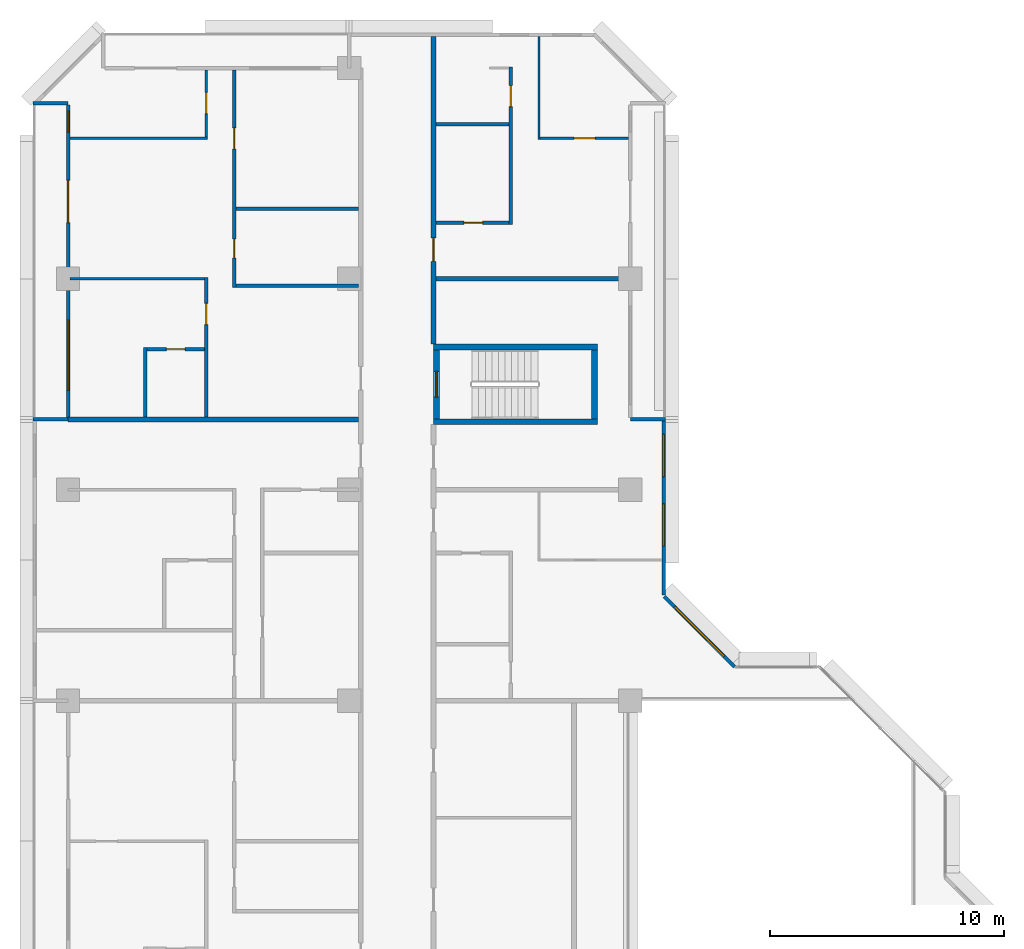
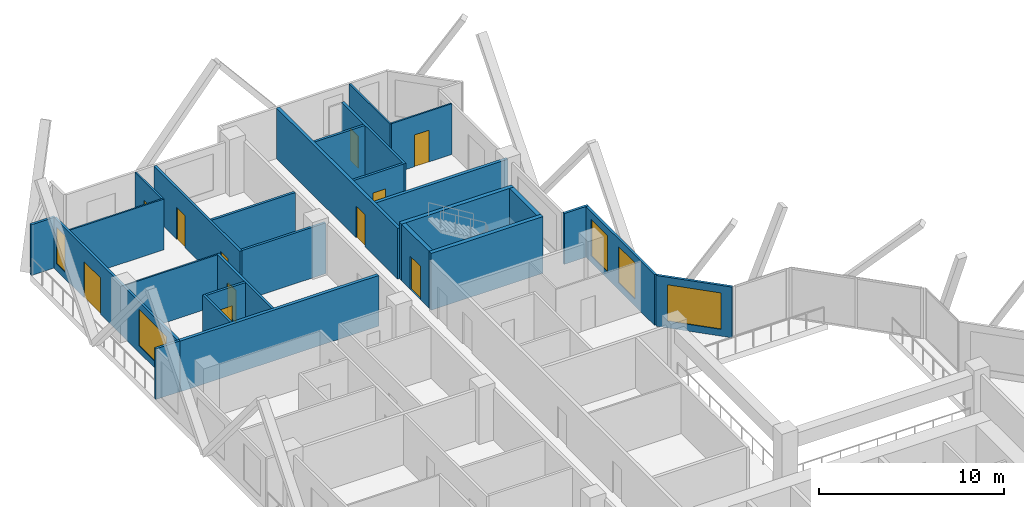
# One storey, part 10 of 15: 27 walls, 11 doors, 5 windows, 16 openings.
"""IFC4 building model written with IfcOpenShell, lengths in metres."""

from ifc_helpers import new_model, si_unit, direction, frame, frame_2d, origin, place, context, subcontext, project, spatial, rectangle, extrude, material, layer, layer_set, type_object, element, fill, save


model = new_model("IFC4")

# Units and contexts
model_context = context("Model", 3, precision=1e-05, world=origin(), true_north=direction((0.0, 1.0)))
body_context = subcontext(model_context, "Body", "Model", "MODEL_VIEW")
ifc_project = project(units=[si_unit("LENGTHUNIT", "METRE"), si_unit("AREAUNIT", "SQUARE_METRE"), si_unit("VOLUMEUNIT", "CUBIC_METRE"), si_unit("PLANEANGLEUNIT", "RADIAN"), si_unit("MASSUNIT", "GRAM", prefix="KILO")], contexts=[model_context])

# Site, building, storey
site_placement = place(None, origin())
site = spatial("IfcSite", under=ifc_project, at=site_placement, CompositionType="ELEMENT")
building_placement = place(site_placement, origin())
building = spatial("IfcBuilding", under=site, at=building_placement, Name="Chenar Terraces", CompositionType="ELEMENT")
storey_placement = place(building_placement, frame((0.0, 0.0, 106.89990234375)))
storey = spatial("IfcBuildingStorey", under=building, at=storey_placement, Name="L24", CompositionType="ELEMENT", Elevation=106.89990234375)

# Walls
ifc_material_1 = material(Name="Concrete C70/85", Category="concrete")
ifc_layer_1 = layer(ifc_material_1, 0.25)
ifc_layer_set_1 = layer_set([ifc_layer_1], Name="Concrete C70/85")
wall_type_1 = type_object("IfcWallType", Name="Core wall 250 Concrete C70/85", PredefinedType="SHEAR", material=ifc_layer_set_1)
for number, where, z_axis, x_axis, name in (
    (1, (15.60009765625, 47.89990234375, 0.0), (0.0, 0.0, 1.0), (1.0, 0.0, 0.0), "Core wall ST4_S L24"),
    (2, (15.60009765625, 51.10009765625, 0.0), (0.0, 0.0, 1.0), (1.0, 0.0, 0.0), "Core wall ST4_N L24"),
):
    element("IfcWall", number, at=place(storey_placement, frame(where, z_axis=z_axis, x_axis=x_axis)), inside=storey, type_object=wall_type_1, Name=name, PredefinedType="SHEAR", context=body_context, shape_type="SweptSolid", body=[
        extrude(rectangle(XDim=7.0, YDim=0.25, at=frame_2d((3.5, 0.0))), origin(), (0.0, 0.0, 1.0), 3.75),
    ])

# Wall, opening, door
wall_1_placement = place(storey_placement, frame((15.72509765625, 48.02490234375, 0.0), z_axis=(0.0, 0.0, 1.0), x_axis=(0.0, 1.0, 0.0)))
wall_1 = element("IfcWall", 3, at=wall_1_placement, inside=storey, type_object=wall_type_1, Name="Core wall ST4_W L24", PredefinedType="SHEAR", context=body_context, shape_type="SweptSolid", body=[
    extrude(rectangle(XDim=2.9501953125, YDim=0.25, at=frame_2d((1.47509765625, 0.0))), origin(), (0.0, 0.0, 1.0), 3.75),
])
opening_1_placement = place(wall_1_placement, frame((0.925048828125, 0.0, 0.0)))
opening_1 = element("IfcOpeningElement", 4, at=opening_1_placement, cuts=wall_1, Name="Opening DL24-C9", PredefinedType="OPENING", context=body_context, shape_type="SweptSolid", body=[
    extrude(rectangle(XDim=1.10009765625, YDim=2.199951171875, at=frame_2d((0.550048828125, 1.10009765625))), frame((0.0, 0.135009765625, 0.0), z_axis=(0.0, -1.0, 0.0), x_axis=(1.0, 0.0, 0.0)), (0.0, 0.0, 1.0), 0.27001953125),
])
ifc_material_2 = material(Name="Steel-framed fire-resisting door leaf", Category="steel")
door_type_1 = type_object("IfcDoorType", Name="Stair fire door FD60 1100 x 2200", OperationType="SINGLE_SWING_LEFT", PredefinedType="DOOR", material=ifc_material_2)
door_1_placement = place(opening_1_placement, frame((1.10009765625, 0.0, 0.0), z_axis=(0.0, 0.0, 1.0), x_axis=(-1.0, 0.0, 0.0)))
door_1 = element("IfcDoor", 5, at=door_1_placement, inside=storey, type_object=door_type_1, Name="Stair door DL24-C9", OperationType="SINGLE_SWING_RIGHT", OverallHeight=2.199951171875, OverallWidth=1.10009765625, PredefinedType="DOOR", context=body_context, shape_type="SweptSolid", body=[
    extrude(rectangle(XDim=1.10009765625, YDim=2.199951171875, at=frame_2d((0.550048828125, 1.10009765625))), frame((0.0, 0.02490234375, 0.0), z_axis=(0.0, -1.0, 0.0), x_axis=(1.0, 0.0, 0.0)), (0.0, 0.0, 1.0), 0.050048828125),
])
fill(opening_1, door_1)

# Wall
wall_2_placement = place(storey_placement, frame((22.47509765625, 48.02490234375, 0.0), z_axis=(0.0, 0.0, 1.0), x_axis=(0.0, 1.0, 0.0)))
element("IfcWall", 6, at=wall_2_placement, inside=storey, type_object=wall_type_1, Name="Core wall ST4_E L24", PredefinedType="SHEAR", context=body_context, shape_type="SweptSolid", body=[
    extrude(rectangle(XDim=2.9501953125, YDim=0.25, at=frame_2d((1.47509765625, 0.0))), origin(), (0.0, 0.0, 1.0), 3.75),
])

# Wall, opening, door
ifc_material_3 = material(Name="Gypsum board on steel studs with fire boards", Category="steel")
ifc_layer_2 = layer(ifc_material_3, 0.199951171875)
ifc_layer_set_2 = layer_set([ifc_layer_2], Name="Gypsum board on steel studs with fire boards")
wall_type_2 = type_object("IfcWallType", Name="Corridor wall 200", PredefinedType="PARTITIONING", material=ifc_layer_set_2)
wall_3_placement = place(storey_placement, frame((15.60009765625, 51.22509765625, 0.0), z_axis=(0.0, 0.0, 1.0), x_axis=(0.0, 1.0, 0.0)))
wall_3 = element("IfcWall", 7, at=wall_3_placement, inside=storey, type_object=wall_type_2, Name="Partition L24-037", PredefinedType="PARTITIONING", context=body_context, shape_type="SweptSolid", body=[
    extrude(rectangle(XDim=13.125, YDim=0.199951171875, at=frame_2d((6.5625, 0.0))), origin(), (0.0, 0.0, 1.0), 3.35009765625),
])
opening_2_placement = place(wall_3_placement, frame((3.52490234375, 0.0, 0.0)))
opening_2 = element("IfcOpeningElement", 8, at=opening_2_placement, cuts=wall_3, Name="Opening DL24-33", PredefinedType="OPENING", context=body_context, shape_type="SweptSolid", body=[
    extrude(rectangle(XDim=1.0, YDim=2.10009765625, at=frame_2d((0.5, 1.050048828125))), frame((0.0, 0.10986328125, 0.0), z_axis=(0.0, -1.0, 0.0), x_axis=(1.0, 0.0, 0.0)), (0.0, 0.0, 1.0), 0.219970703125),
])
ifc_material_4 = material(Name="Steel-framed fire-resisting door leaf", Category="steel")
door_type_2 = type_object("IfcDoorType", Name="Fire door FD30S 1000 x 2100", OperationType="SINGLE_SWING_LEFT", PredefinedType="DOOR", material=ifc_material_4)
door_2_placement = place(opening_2_placement, frame((1.0, 0.0, 0.0), z_axis=(0.0, 0.0, 1.0), x_axis=(-1.0, 0.0, 0.0)))
door_2 = element("IfcDoor", 9, at=door_2_placement, inside=storey, type_object=door_type_2, Name="Door DL24-33", OperationType="SINGLE_SWING_LEFT", OverallHeight=2.10009765625, OverallWidth=1.0, PredefinedType="DOOR", context=body_context, shape_type="SweptSolid", body=[
    extrude(rectangle(XDim=1.0, YDim=2.10009765625, at=frame_2d((0.5, 1.050048828125))), frame((0.0, 0.02490234375, 0.0), z_axis=(0.0, -1.0, 0.0), x_axis=(1.0, 0.0, 0.0)), (0.0, 0.0, 1.0), 0.050048828125),
])
fill(opening_2, door_2)

# Wall, openings, windows
ifc_material_5 = material(Name="Aluminium framed glazing", Category="aluminium")
ifc_layer_3 = layer(ifc_material_5, 0.14990234375)
ifc_layer_set_3 = layer_set([ifc_layer_3], Name="Aluminium framed glazing")
wall_type_3 = type_object("IfcWallType", Name="Glazed flush facade wall 150", PredefinedType="SOLIDWALL", material=ifc_layer_set_3)
wall_4_placement = place(storey_placement, frame((25.425048828125, 40.5, 0.0), z_axis=(0.0, 0.0, 1.0), x_axis=(0.0, 1.0, 0.0)))
wall_4 = element("IfcWall", 10, at=wall_4_placement, inside=storey, type_object=wall_type_3, Name="Glazed flush facade wall", PredefinedType="SOLIDWALL", context=body_context, shape_type="SweptSolid", body=[
    extrude(rectangle(XDim=7.425048828125, YDim=0.14990234375, at=frame_2d((3.71240234375, 0.0))), origin(), (0.0, 0.0, 1.0), 3.35009765625),
])
opening_3_placement = place(wall_4_placement, frame((2.10009765625, 0.0, 0.449951171875)))
opening_3 = element("IfcOpeningElement", 11, at=opening_3_placement, cuts=wall_4, Name="Opening W180x240", PredefinedType="OPENING", context=body_context, shape_type="SweptSolid", body=[
    extrude(rectangle(XDim=1.800048828125, YDim=2.39990234375, at=frame_2d((0.89990234375, 1.199951171875))), frame((0.0, 0.0849609375, 0.0), z_axis=(0.0, -1.0, 0.0), x_axis=(1.0, 0.0, 0.0)), (0.0, 0.0, 1.0), 0.169921875),
])
opening_4_placement = place(wall_4_placement, frame((5.0625, 0.0, 0.449951171875)))
opening_4 = element("IfcOpeningElement", 12, at=opening_4_placement, cuts=wall_4, Name="Opening W180x240", PredefinedType="OPENING", context=body_context, shape_type="SweptSolid", body=[
    extrude(rectangle(XDim=1.800048828125, YDim=2.39990234375, at=frame_2d((0.89990234375, 1.199951171875))), frame((0.0, 0.0849609375, 0.0), z_axis=(0.0, -1.0, 0.0), x_axis=(1.0, 0.0, 0.0)), (0.0, 0.0, 1.0), 0.169921875),
])
ifc_material_6 = material(Name="Low emissivity double glazing, aluminium frame", Category="aluminium")
window_type_1 = type_object("IfcWindowType", Name="Fixed light 1800 x 2400", PartitioningType="SINGLE_PANEL", PredefinedType="WINDOW", material=ifc_material_6)
window_1_placement = place(opening_3_placement, origin())
window_1 = element("IfcWindow", 13, at=window_1_placement, inside=storey, type_object=window_type_1, Name="Window", OverallHeight=2.39990234375, OverallWidth=1.800048828125, PartitioningType="SINGLE_PANEL", PredefinedType="WINDOW", context=body_context, shape_type="SweptSolid", body=[
    extrude(rectangle(XDim=1.800048828125, YDim=2.39990234375, at=frame_2d((0.89990234375, 1.199951171875))), frame((0.0, 0.030029296875, 0.0), z_axis=(0.0, -1.0, 0.0), x_axis=(1.0, 0.0, 0.0)), (0.0, 0.0, 1.0), 0.06005859375),
])
fill(opening_3, window_1)
window_2_placement = place(opening_4_placement, origin())
window_2 = element("IfcWindow", 14, at=window_2_placement, inside=storey, type_object=window_type_1, Name="Window", OverallHeight=2.39990234375, OverallWidth=1.800048828125, PartitioningType="SINGLE_PANEL", PredefinedType="WINDOW", context=body_context, shape_type="SweptSolid", body=[
    extrude(rectangle(XDim=1.800048828125, YDim=2.39990234375, at=frame_2d((0.89990234375, 1.199951171875))), frame((0.0, 0.030029296875, 0.0), z_axis=(0.0, -1.0, 0.0), x_axis=(1.0, 0.0, 0.0)), (0.0, 0.0, 1.0), 0.06005859375),
])
fill(opening_4, window_2)

# Wall, openings, windows, door
ifc_material_7 = material(Name="Aluminium framed glazing", Category="aluminium")
ifc_layer_4 = layer(ifc_material_7, 0.14990234375)
ifc_layer_set_4 = layer_set([ifc_layer_4], Name="Aluminium framed glazing")
wall_type_4 = type_object("IfcWallType", Name="Glazed loggia back wall 150", PredefinedType="SOLIDWALL", material=ifc_layer_set_4)
wall_5_placement = place(storey_placement, frame((0.0, 61.425048828125, 0.0), z_axis=(0.0, 0.0, 1.0), x_axis=(0.0, -1.0, 0.0)))
wall_5 = element("IfcWall", 15, at=wall_5_placement, inside=storey, type_object=wall_type_4, Name="Glazed loggia back wall", PredefinedType="SOLIDWALL", context=body_context, shape_type="SweptSolid", body=[
    extrude(rectangle(XDim=13.35009765625, YDim=0.14990234375, at=frame_2d((6.675048828125, 0.0))), origin(), (0.0, 0.0, 1.0), 3.35009765625),
])
opening_5_placement = place(wall_5_placement, frame((0.262451171875, 0.0, 0.449951171875)))
opening_5 = element("IfcOpeningElement", 16, at=opening_5_placement, cuts=wall_5, Name="Opening W90x240", PredefinedType="OPENING", context=body_context, shape_type="SweptSolid", body=[
    extrude(rectangle(XDim=0.89990234375, YDim=2.39990234375, at=frame_2d((0.449951171875, 1.199951171875))), frame((0.0, 0.0849609375, 0.0), z_axis=(0.0, -1.0, 0.0), x_axis=(1.0, 0.0, 0.0)), (0.0, 0.0, 1.0), 0.169921875),
])
opening_6_placement = place(wall_5_placement, frame((3.22509765625, 0.0, 0.0)))
opening_6 = element("IfcOpeningElement", 17, at=opening_6_placement, cuts=wall_5, Name="Opening DL24-G4", PredefinedType="OPENING", context=body_context, shape_type="SweptSolid", body=[
    extrude(rectangle(XDim=1.800048828125, YDim=2.39990234375, at=frame_2d((0.89990234375, 1.199951171875))), frame((0.0, 0.0849609375, 0.0), z_axis=(0.0, -1.0, 0.0), x_axis=(1.0, 0.0, 0.0)), (0.0, 0.0, 1.0), 0.169921875),
])
opening_7_placement = place(wall_5_placement, frame((9.1875, 0.0, 0.449951171875)))
opening_7 = element("IfcOpeningElement", 18, at=opening_7_placement, cuts=wall_5, Name="Opening W300x240", PredefinedType="OPENING", context=body_context, shape_type="SweptSolid", body=[
    extrude(rectangle(XDim=3.0, YDim=2.39990234375, at=frame_2d((1.5, 1.199951171875))), frame((0.0, 0.0849609375, 0.0), z_axis=(0.0, -1.0, 0.0), x_axis=(1.0, 0.0, 0.0)), (0.0, 0.0, 1.0), 0.169921875),
])
ifc_material_8 = material(Name="Low emissivity double glazing, aluminium frame", Category="aluminium")
window_type_2 = type_object("IfcWindowType", Name="Fixed light 3000 x 2400", PartitioningType="SINGLE_PANEL", PredefinedType="WINDOW", material=ifc_material_8)
window_3_placement = place(opening_7_placement, origin())
window_3 = element("IfcWindow", 19, at=window_3_placement, inside=storey, type_object=window_type_2, Name="Window", OverallHeight=2.39990234375, OverallWidth=3.0, PartitioningType="SINGLE_PANEL", PredefinedType="WINDOW", context=body_context, shape_type="SweptSolid", body=[
    extrude(rectangle(XDim=3.0, YDim=2.39990234375, at=frame_2d((1.5, 1.199951171875))), frame((0.0, 0.030029296875, 0.0), z_axis=(0.0, -1.0, 0.0), x_axis=(1.0, 0.0, 0.0)), (0.0, 0.0, 1.0), 0.06005859375),
])
fill(opening_7, window_3)
ifc_material_9 = material(Name="Low emissivity double glazing, aluminium frame", Category="aluminium")
window_type_3 = type_object("IfcWindowType", Name="Fixed light 900 x 2400", PartitioningType="SINGLE_PANEL", PredefinedType="WINDOW", material=ifc_material_9)
window_4_placement = place(opening_5_placement, origin())
window_4 = element("IfcWindow", 20, at=window_4_placement, inside=storey, type_object=window_type_3, Name="Window", OverallHeight=2.39990234375, OverallWidth=0.89990234375, PartitioningType="SINGLE_PANEL", PredefinedType="WINDOW", context=body_context, shape_type="SweptSolid", body=[
    extrude(rectangle(XDim=0.89990234375, YDim=2.39990234375, at=frame_2d((0.449951171875, 1.199951171875))), frame((0.0, 0.030029296875, 0.0), z_axis=(0.0, -1.0, 0.0), x_axis=(1.0, 0.0, 0.0)), (0.0, 0.0, 1.0), 0.06005859375),
])
fill(opening_5, window_4)
ifc_material_10 = material(Name="Low emissivity double glazing, aluminium frame", Category="aluminium")
door_type_3 = type_object("IfcDoorType", Name="Loggia glazed double door 1800 x 2400", OperationType="DOUBLE_DOOR_SINGLE_SWING", PredefinedType="DOOR", material=ifc_material_10)
door_3_placement = place(opening_6_placement, frame((1.800048828125, 0.0, 0.0), z_axis=(0.0, 0.0, 1.0), x_axis=(-1.0, 0.0, 0.0)))
door_3 = element("IfcDoor", 21, at=door_3_placement, inside=storey, type_object=door_type_3, Name="Loggia glazed door", OperationType="DOUBLE_DOOR_SINGLE_SWING", OverallHeight=2.39990234375, OverallWidth=1.800048828125, PredefinedType="DOOR", context=body_context, shape_type="SweptSolid", body=[
    extrude(rectangle(XDim=1.800048828125, YDim=2.39990234375, at=frame_2d((0.89990234375, 1.199951171875))), frame((0.0, 0.02490234375, 0.0), z_axis=(0.0, -1.0, 0.0), x_axis=(1.0, 0.0, 0.0)), (0.0, 0.0, 1.0), 0.050048828125),
])
fill(opening_6, door_3)

# Walls
ifc_material_11 = material(Name="Gypsum board on steel studs", Category="steel")
ifc_layer_5 = layer(ifc_material_11, 0.10009765625)
ifc_layer_set_5 = layer_set([ifc_layer_5], Name="Gypsum board on steel studs")
wall_type_5 = type_object("IfcWallType", Name="Gypsum partition 100", PredefinedType="PARTITIONING", material=ifc_layer_set_5)
wall_6_placement = place(storey_placement, frame((0.073974609375, 54.0, 0.0), z_axis=(0.0, 0.0, 1.0), x_axis=(1.0, 0.0, 0.0)))
element("IfcWall", 22, at=wall_6_placement, inside=storey, type_object=wall_type_5, Name="Partition L24-008", PredefinedType="PARTITIONING", context=body_context, shape_type="SweptSolid", body=[
    extrude(rectangle(XDim=5.7509765625, YDim=0.10009765625, at=frame_2d((2.87548828125, 0.0))), origin(), (0.0, 0.0, 1.0), 3.35009765625),
])
wall_7_placement = place(storey_placement, frame((0.073974609375, 60.0, 0.0), z_axis=(0.0, 0.0, 1.0), x_axis=(1.0, 0.0, 0.0)))
element("IfcWall", 23, at=wall_7_placement, inside=storey, type_object=wall_type_5, Name="Partition L24-009", PredefinedType="PARTITIONING", context=body_context, shape_type="SweptSolid", body=[
    extrude(rectangle(XDim=5.8759765625, YDim=0.10009765625, at=frame_2d((2.93798828125, 0.0))), origin(), (0.0, 0.0, 1.0), 3.35009765625),
])

# Wall, opening, door
wall_8_placement = place(storey_placement, frame((5.89990234375, 60.050048828125, 0.0), z_axis=(0.0, 0.0, 1.0), x_axis=(0.0, 1.0, 0.0)))
wall_8 = element("IfcWall", 24, at=wall_8_placement, inside=storey, type_object=wall_type_5, Name="Partition L24-019", PredefinedType="PARTITIONING", context=body_context, shape_type="SweptSolid", body=[
    extrude(rectangle(XDim=2.8759765625, YDim=0.10009765625, at=frame_2d((1.43798828125, 0.0))), origin(), (0.0, 0.0, 1.0), 3.35009765625),
])
opening_8_placement = place(wall_8_placement, frame((1.0, 0.0, 0.0)))
opening_8 = element("IfcOpeningElement", 25, at=opening_8_placement, cuts=wall_8, Name="Opening DL24-41", PredefinedType="OPENING", context=body_context, shape_type="SweptSolid", body=[
    extrude(rectangle(XDim=0.89990234375, YDim=2.10009765625, at=frame_2d((0.449951171875, 1.050048828125))), frame((0.0, 0.06005859375, 0.0), z_axis=(0.0, -1.0, 0.0), x_axis=(1.0, 0.0, 0.0)), (0.0, 0.0, 1.0), 0.1201171875),
])
ifc_material_12 = material(Name="Veneered timber door leaf", Category="wood")
door_type_4 = type_object("IfcDoorType", Name="Door 900 x 2100", OperationType="SINGLE_SWING_LEFT", PredefinedType="DOOR", material=ifc_material_12)
door_4_placement = place(opening_8_placement, origin())
door_4 = element("IfcDoor", 26, at=door_4_placement, inside=storey, type_object=door_type_4, Name="Door DL24-41", OperationType="SINGLE_SWING_RIGHT", OverallHeight=2.10009765625, OverallWidth=0.89990234375, PredefinedType="DOOR", context=body_context, shape_type="SweptSolid", body=[
    extrude(rectangle(XDim=0.89990234375, YDim=2.10009765625, at=frame_2d((0.449951171875, 1.050048828125))), frame((0.0, 0.02490234375, 0.0), z_axis=(0.0, -1.0, 0.0), x_axis=(1.0, 0.0, 0.0)), (0.0, 0.0, 1.0), 0.050048828125),
])
fill(opening_8, door_4)

# Wall
wall_9_placement = place(storey_placement, frame((20.10009765625, 59.949951171875, 0.0), z_axis=(0.0, 0.0, 1.0), x_axis=(0.0, 1.0, 0.0)))
element("IfcWall", 27, at=wall_9_placement, inside=storey, type_object=wall_type_5, Name="Partition L24-054", PredefinedType="PARTITIONING", context=body_context, shape_type="SweptSolid", body=[
    extrude(rectangle(XDim=4.401123046875, YDim=0.10009765625, at=frame_2d((2.20068359375, 0.0))), origin(), (0.0, 0.0, 1.0), 3.35009765625),
])

# Wall, opening, door
wall_10_placement = place(storey_placement, frame((20.14990234375, 60.0, 0.0), z_axis=(0.0, 0.0, 1.0), x_axis=(1.0, 0.0, 0.0)))
wall_10 = element("IfcWall", 28, at=wall_10_placement, inside=storey, type_object=wall_type_5, Name="Partition L24-055", PredefinedType="PARTITIONING", context=body_context, shape_type="SweptSolid", body=[
    extrude(rectangle(XDim=3.776123046875, YDim=0.10009765625, at=frame_2d((1.88818359375, 0.0))), origin(), (0.0, 0.0, 1.0), 3.35009765625),
])
opening_9_placement = place(wall_10_placement, frame((1.449951171875, 0.0, 0.0)))
opening_9 = element("IfcOpeningElement", 29, at=opening_9_placement, cuts=wall_10, Name="Opening DL24-31", PredefinedType="OPENING", context=body_context, shape_type="SweptSolid", body=[
    extrude(rectangle(XDim=0.89990234375, YDim=2.10009765625, at=frame_2d((0.449951171875, 1.050048828125))), frame((0.0, 0.06005859375, 0.0), z_axis=(0.0, -1.0, 0.0), x_axis=(1.0, 0.0, 0.0)), (0.0, 0.0, 1.0), 0.1201171875),
])
door_5_placement = place(opening_9_placement, origin())
door_5 = element("IfcDoor", 30, at=door_5_placement, inside=storey, type_object=door_type_4, Name="Door DL24-31", OperationType="SINGLE_SWING_RIGHT", OverallHeight=2.10009765625, OverallWidth=0.89990234375, PredefinedType="DOOR", context=body_context, shape_type="SweptSolid", body=[
    extrude(rectangle(XDim=0.89990234375, YDim=2.10009765625, at=frame_2d((0.449951171875, 1.050048828125))), frame((0.0, 0.02490234375, 0.0), z_axis=(0.0, -1.0, 0.0), x_axis=(1.0, 0.0, 0.0)), (0.0, 0.0, 1.0), 0.050048828125),
])
fill(opening_9, door_5)

# Walls
ifc_material_13 = material(Name="Terracotta cladding on insulated backing", Category="masonry")
ifc_layer_6 = layer(ifc_material_13, 0.14990234375)
ifc_layer_set_6 = layer_set([ifc_layer_6], Name="Terracotta cladding on insulated backing")
wall_type_6 = type_object("IfcWallType", Name="Loggia return wall 150", PredefinedType="SOLIDWALL", material=ifc_layer_set_6)
for number, where, z_axis, x_axis, name in (
    (31, (25.5, 48.0, 0.0), (0.0, 0.0, 1.0), (-1.0, 0.0, 0.0), "Loggia return wall"),
    (32, (-1.5, 61.5, 0.0), (0.0, 0.0, 1.0), (1.0, 0.0, 0.0), "Loggia return wall"),
    (33, (-1.5, 48.0, 0.0), (0.0, 0.0, 1.0), (1.0, 0.0, 0.0), "Loggia return wall"),
):
    element("IfcWall", number, at=place(storey_placement, frame(where, z_axis=z_axis, x_axis=x_axis)), inside=storey, type_object=wall_type_6, Name=name, PredefinedType="SOLIDWALL", context=body_context, shape_type="SweptSolid", body=[
        extrude(rectangle(XDim=1.5, YDim=0.14990234375, at=frame_2d((0.75, 0.0))), origin(), (0.0, 0.0, 1.0), 3.35009765625),
    ])

# Wall, opening, window
ifc_material_14 = material(Name="Terracotta cladding on insulated backing", Category="masonry")
ifc_layer_7 = layer(ifc_material_14, 0.14990234375)
ifc_layer_set_7 = layer_set([ifc_layer_7], Name="Terracotta cladding on insulated backing")
wall_type_7 = type_object("IfcWallType", Name="Terracotta rainscreen wall 150", PredefinedType="SOLIDWALL", material=ifc_layer_set_7)
wall_11_placement = place(storey_placement, frame((28.447021484375, 37.447021484375, 0.0), z_axis=(0.0, 0.0, 1.0), x_axis=(-0.707106781187, 0.707106781187, 0.0)))
wall_11 = element("IfcWall", 34, at=wall_11_placement, inside=storey, type_object=wall_type_7, Name="Terracotta rainscreen wall", PredefinedType="SOLIDWALL", context=body_context, shape_type="SweptSolid", body=[
    extrude(rectangle(XDim=4.24267578125, YDim=0.14990234375, at=frame_2d((2.121337890625, 0.0))), origin(), (0.0, 0.0, 1.0), 3.35009765625),
])
opening_10_placement = place(wall_11_placement, frame((0.621337890625, 0.0, 0.449951171875)))
opening_10 = element("IfcOpeningElement", 35, at=opening_10_placement, cuts=wall_11, Name="Opening W300x240", PredefinedType="OPENING", context=body_context, shape_type="SweptSolid", body=[
    extrude(rectangle(XDim=3.0, YDim=2.39990234375, at=frame_2d((1.5, 1.199951171875))), frame((0.0, 0.0849609375, 0.0), z_axis=(0.0, -1.0, 0.0), x_axis=(1.0, 0.0, 0.0)), (0.0, 0.0, 1.0), 0.169921875),
])
window_5_placement = place(opening_10_placement, origin())
window_5 = element("IfcWindow", 36, at=window_5_placement, inside=storey, type_object=window_type_2, Name="Window", OverallHeight=2.39990234375, OverallWidth=3.0, PartitioningType="SINGLE_PANEL", PredefinedType="WINDOW", context=body_context, shape_type="SweptSolid", body=[
    extrude(rectangle(XDim=3.0, YDim=2.39990234375, at=frame_2d((1.5, 1.199951171875))), frame((0.0, 0.030029296875, 0.0), z_axis=(0.0, -1.0, 0.0), x_axis=(1.0, 0.0, 0.0)), (0.0, 0.0, 1.0), 0.06005859375),
])
fill(opening_10, window_5)

# Walls
ifc_material_15 = material(Name="Twin gypsum board on steel studs with mineral wool", Category="steel")
ifc_layer_8 = layer(ifc_material_15, 0.199951171875)
ifc_layer_set_8 = layer_set([ifc_layer_8], Name="Twin gypsum board on steel studs with mineral wool")
wall_type_8 = type_object("IfcWallType", Name="Unit demising wall 200", PredefinedType="PARTITIONING", material=ifc_layer_set_8)
wall_12_placement = place(storey_placement, frame((0.0, 48.0, 0.0), z_axis=(0.0, 0.0, 1.0), x_axis=(1.0, 0.0, 0.0)))
element("IfcWall", 37, at=wall_12_placement, inside=storey, type_object=wall_type_8, Name="Partition L24-006", PredefinedType="PARTITIONING", context=body_context, shape_type="SweptSolid", body=[
    extrude(rectangle(XDim=12.39990234375, YDim=0.199951171875, at=frame_2d((6.199951171875, 0.0))), origin(), (0.0, 0.0, 1.0), 3.35009765625),
])
wall_13_placement = place(storey_placement, frame((15.699951171875, 54.0, 0.0), z_axis=(0.0, 0.0, 1.0), x_axis=(1.0, 0.0, 0.0)))
element("IfcWall", 38, at=wall_13_placement, inside=storey, type_object=wall_type_8, Name="Partition L24-044", PredefinedType="PARTITIONING", context=body_context, shape_type="SweptSolid", body=[
    extrude(rectangle(XDim=8.22607421875, YDim=0.199951171875, at=frame_2d((4.113037109375, 0.0))), origin(), (0.0, 0.0, 1.0), 3.35009765625),
])
ifc_material_16 = material(Name="Moisture-resistant gypsum board on steel studs", Category="steel")
ifc_layer_9 = layer(ifc_material_16, 0.14990234375)
ifc_layer_set_9 = layer_set([ifc_layer_9], Name="Moisture-resistant gypsum board on steel studs")
wall_type_9 = type_object("IfcWallType", Name="Wet-room partition 150", PredefinedType="PARTITIONING", material=ifc_layer_set_9)
wall_14_placement = place(storey_placement, frame((3.300048828125, 48.10009765625, 0.0), z_axis=(0.0, 0.0, 1.0), x_axis=(0.0, 1.0, 0.0)))
element("IfcWall", 39, at=wall_14_placement, inside=storey, type_object=wall_type_9, Name="Partition L24-012", PredefinedType="PARTITIONING", context=body_context, shape_type="SweptSolid", body=[
    extrude(rectangle(XDim=2.974853515625, YDim=0.14990234375, at=frame_2d((1.4873046875, 0.0))), origin(), (0.0, 0.0, 1.0), 3.35009765625),
])

# Wall, opening, door
wall_15_placement = place(storey_placement, frame((3.375, 51.0, 0.0), z_axis=(0.0, 0.0, 1.0), x_axis=(1.0, 0.0, 0.0)))
wall_15 = element("IfcWall", 40, at=wall_15_placement, inside=storey, type_object=wall_type_9, Name="Partition L24-014", PredefinedType="PARTITIONING", context=body_context, shape_type="SweptSolid", body=[
    extrude(rectangle(XDim=2.449951171875, YDim=0.14990234375, at=frame_2d((1.22509765625, 0.0))), origin(), (0.0, 0.0, 1.0), 3.35009765625),
])
opening_11_placement = place(wall_15_placement, frame((0.824951171875, 0.0, 0.0)))
opening_11 = element("IfcOpeningElement", 41, at=opening_11_placement, cuts=wall_15, Name="Opening DL24-43", PredefinedType="OPENING", context=body_context, shape_type="SweptSolid", body=[
    extrude(rectangle(XDim=0.800048828125, YDim=2.10009765625, at=frame_2d((0.39990234375, 1.050048828125))), frame((0.0, 0.0849609375, 0.0), z_axis=(0.0, -1.0, 0.0), x_axis=(1.0, 0.0, 0.0)), (0.0, 0.0, 1.0), 0.169921875),
])
ifc_material_17 = material(Name="Veneered timber door leaf", Category="wood")
door_type_5 = type_object("IfcDoorType", Name="Door 800 x 2100", OperationType="SINGLE_SWING_LEFT", PredefinedType="DOOR", material=ifc_material_17)
door_6_placement = place(opening_11_placement, frame((0.800048828125, 0.0, 0.0), z_axis=(0.0, 0.0, 1.0), x_axis=(-1.0, 0.0, 0.0)))
door_6 = element("IfcDoor", 42, at=door_6_placement, inside=storey, type_object=door_type_5, Name="Door DL24-43", OperationType="SINGLE_SWING_LEFT", OverallHeight=2.10009765625, OverallWidth=0.800048828125, PredefinedType="DOOR", context=body_context, shape_type="SweptSolid", body=[
    extrude(rectangle(XDim=0.800048828125, YDim=2.10009765625, at=frame_2d((0.39990234375, 1.050048828125))), frame((0.0, 0.02490234375, 0.0), z_axis=(0.0, -1.0, 0.0), x_axis=(1.0, 0.0, 0.0)), (0.0, 0.0, 1.0), 0.050048828125),
])
fill(opening_11, door_6)

wall_16_placement = place(storey_placement, frame((5.89990234375, 48.10009765625, 0.0), z_axis=(0.0, 0.0, 1.0), x_axis=(0.0, 1.0, 0.0)))
wall_16 = element("IfcWall", 43, at=wall_16_placement, inside=storey, type_object=wall_type_9, Name="Partition L24-018", PredefinedType="PARTITIONING", context=body_context, shape_type="SweptSolid", body=[
    extrude(rectangle(XDim=5.949951171875, YDim=0.14990234375, at=frame_2d((2.97509765625, 0.0))), origin(), (0.0, 0.0, 1.0), 3.35009765625),
])
opening_12_placement = place(wall_16_placement, frame((3.949951171875, 0.0, 0.0)))
opening_12 = element("IfcOpeningElement", 44, at=opening_12_placement, cuts=wall_16, Name="Opening DL24-42", PredefinedType="OPENING", context=body_context, shape_type="SweptSolid", body=[
    extrude(rectangle(XDim=0.89990234375, YDim=2.10009765625, at=frame_2d((0.449951171875, 1.050048828125))), frame((0.0, 0.0849609375, 0.0), z_axis=(0.0, -1.0, 0.0), x_axis=(1.0, 0.0, 0.0)), (0.0, 0.0, 1.0), 0.169921875),
])
door_7_placement = place(opening_12_placement, origin())
door_7 = element("IfcDoor", 45, at=door_7_placement, inside=storey, type_object=door_type_4, Name="Door DL24-42", OperationType="SINGLE_SWING_RIGHT", OverallHeight=2.10009765625, OverallWidth=0.89990234375, PredefinedType="DOOR", context=body_context, shape_type="SweptSolid", body=[
    extrude(rectangle(XDim=0.89990234375, YDim=2.10009765625, at=frame_2d((0.449951171875, 1.050048828125))), frame((0.0, 0.02490234375, 0.0), z_axis=(0.0, -1.0, 0.0), x_axis=(1.0, 0.0, 0.0)), (0.0, 0.0, 1.0), 0.050048828125),
])
fill(opening_12, door_7)

# Wall, openings, doors
wall_17_placement = place(storey_placement, frame((7.10009765625, 53.625, 0.0), z_axis=(0.0, 0.0, 1.0), x_axis=(0.0, 1.0, 0.0)))
wall_17 = element("IfcWall", 46, at=wall_17_placement, inside=storey, type_object=wall_type_9, Name="Partition L24-022", PredefinedType="PARTITIONING", context=body_context, shape_type="SweptSolid", body=[
    extrude(rectangle(XDim=9.301025390625, YDim=0.14990234375, at=frame_2d((4.650390625, 0.0))), origin(), (0.0, 0.0, 1.0), 3.35009765625),
])
opening_13_placement = place(wall_17_placement, frame((1.27490234375, 0.0, 0.0)))
opening_13 = element("IfcOpeningElement", 47, at=opening_13_placement, cuts=wall_17, Name="Opening DL24-40", PredefinedType="OPENING", context=body_context, shape_type="SweptSolid", body=[
    extrude(rectangle(XDim=0.800048828125, YDim=2.10009765625, at=frame_2d((0.39990234375, 1.050048828125))), frame((0.0, 0.0849609375, 0.0), z_axis=(0.0, -1.0, 0.0), x_axis=(1.0, 0.0, 0.0)), (0.0, 0.0, 1.0), 0.169921875),
])
opening_14_placement = place(wall_17_placement, frame((5.925048828125, 0.0, 0.0)))
opening_14 = element("IfcOpeningElement", 48, at=opening_14_placement, cuts=wall_17, Name="Opening DL24-44", PredefinedType="OPENING", context=body_context, shape_type="SweptSolid", body=[
    extrude(rectangle(XDim=0.89990234375, YDim=2.10009765625, at=frame_2d((0.449951171875, 1.050048828125))), frame((0.0, 0.0849609375, 0.0), z_axis=(0.0, -1.0, 0.0), x_axis=(1.0, 0.0, 0.0)), (0.0, 0.0, 1.0), 0.169921875),
])
door_8_placement = place(opening_13_placement, frame((0.800048828125, 0.0, 0.0), z_axis=(0.0, 0.0, 1.0), x_axis=(-1.0, 0.0, 0.0)))
door_8 = element("IfcDoor", 49, at=door_8_placement, inside=storey, type_object=door_type_5, Name="Door DL24-40", OperationType="SINGLE_SWING_RIGHT", OverallHeight=2.10009765625, OverallWidth=0.800048828125, PredefinedType="DOOR", context=body_context, shape_type="SweptSolid", body=[
    extrude(rectangle(XDim=0.800048828125, YDim=2.10009765625, at=frame_2d((0.39990234375, 1.050048828125))), frame((0.0, 0.02490234375, 0.0), z_axis=(0.0, -1.0, 0.0), x_axis=(1.0, 0.0, 0.0)), (0.0, 0.0, 1.0), 0.050048828125),
])
fill(opening_13, door_8)
door_9_placement = place(opening_14_placement, frame((0.89990234375, 0.0, 0.0), z_axis=(0.0, 0.0, 1.0), x_axis=(-1.0, 0.0, 0.0)))
door_9 = element("IfcDoor", 50, at=door_9_placement, inside=storey, type_object=door_type_4, Name="Door DL24-44", OperationType="SINGLE_SWING_RIGHT", OverallHeight=2.10009765625, OverallWidth=0.89990234375, PredefinedType="DOOR", context=body_context, shape_type="SweptSolid", body=[
    extrude(rectangle(XDim=0.89990234375, YDim=2.10009765625, at=frame_2d((0.449951171875, 1.050048828125))), frame((0.0, 0.02490234375, 0.0), z_axis=(0.0, -1.0, 0.0), x_axis=(1.0, 0.0, 0.0)), (0.0, 0.0, 1.0), 0.050048828125),
])
fill(opening_14, door_9)

# Walls
for number, where, z_axis, x_axis, name in (
    (51, (7.175048828125, 53.699951171875, 0.0), (0.0, 0.0, 1.0), (1.0, 0.0, 0.0), "Partition L24-025"),
    (52, (7.175048828125, 57.0, 0.0), (0.0, 0.0, 1.0), (1.0, 0.0, 0.0), "Partition L24-026"),
):
    element("IfcWall", number, at=place(storey_placement, frame(where, z_axis=z_axis, x_axis=x_axis)), inside=storey, type_object=wall_type_9, Name=name, PredefinedType="PARTITIONING", context=body_context, shape_type="SweptSolid", body=[
        extrude(rectangle(XDim=5.224853515625, YDim=0.14990234375, at=frame_2d((2.6123046875, 0.0))), origin(), (0.0, 0.0, 1.0), 3.35009765625),
    ])

# Wall, opening, door
wall_18_placement = place(storey_placement, frame((15.699951171875, 56.39990234375, 0.0), z_axis=(0.0, 0.0, 1.0), x_axis=(1.0, 0.0, 0.0)))
wall_18 = element("IfcWall", 53, at=wall_18_placement, inside=storey, type_object=wall_type_9, Name="Partition L24-045", PredefinedType="PARTITIONING", context=body_context, shape_type="SweptSolid", body=[
    extrude(rectangle(XDim=3.125, YDim=0.14990234375, at=frame_2d((1.5625, 0.0))), origin(), (0.0, 0.0, 1.0), 3.35009765625),
])
opening_15_placement = place(wall_18_placement, frame((1.199951171875, 0.0, 0.0)))
opening_15 = element("IfcOpeningElement", 54, at=opening_15_placement, cuts=wall_18, Name="Opening DL24-30", PredefinedType="OPENING", context=body_context, shape_type="SweptSolid", body=[
    extrude(rectangle(XDim=0.800048828125, YDim=2.10009765625, at=frame_2d((0.39990234375, 1.050048828125))), frame((0.0, 0.0849609375, 0.0), z_axis=(0.0, -1.0, 0.0), x_axis=(1.0, 0.0, 0.0)), (0.0, 0.0, 1.0), 0.169921875),
])
door_10_placement = place(opening_15_placement, origin())
door_10 = element("IfcDoor", 55, at=door_10_placement, inside=storey, type_object=door_type_5, Name="Door DL24-30", OperationType="SINGLE_SWING_RIGHT", OverallHeight=2.10009765625, OverallWidth=0.800048828125, PredefinedType="DOOR", context=body_context, shape_type="SweptSolid", body=[
    extrude(rectangle(XDim=0.800048828125, YDim=2.10009765625, at=frame_2d((0.39990234375, 1.050048828125))), frame((0.0, 0.02490234375, 0.0), z_axis=(0.0, -1.0, 0.0), x_axis=(1.0, 0.0, 0.0)), (0.0, 0.0, 1.0), 0.050048828125),
])
fill(opening_15, door_10)

# Wall
wall_19_placement = place(storey_placement, frame((15.699951171875, 60.60009765625, 0.0), z_axis=(0.0, 0.0, 1.0), x_axis=(1.0, 0.0, 0.0)))
element("IfcWall", 56, at=wall_19_placement, inside=storey, type_object=wall_type_9, Name="Partition L24-046", PredefinedType="PARTITIONING", context=body_context, shape_type="SweptSolid", body=[
    extrude(rectangle(XDim=3.125, YDim=0.14990234375, at=frame_2d((1.5625, 0.0))), origin(), (0.0, 0.0, 1.0), 3.35009765625),
])

# Wall, opening, door
wall_20_placement = place(storey_placement, frame((18.89990234375, 56.324951171875, 0.0), z_axis=(0.0, 0.0, 1.0), x_axis=(0.0, 1.0, 0.0)))
wall_20 = element("IfcWall", 57, at=wall_20_placement, inside=storey, type_object=wall_type_9, Name="Partition L24-051", PredefinedType="PARTITIONING", context=body_context, shape_type="SweptSolid", body=[
    extrude(rectangle(XDim=6.72509765625, YDim=0.14990234375, at=frame_2d((3.362548828125, 0.0))), origin(), (0.0, 0.0, 1.0), 3.35009765625),
])
opening_16_placement = place(wall_20_placement, frame((5.02490234375, 0.0, 0.0)))
opening_16 = element("IfcOpeningElement", 58, at=opening_16_placement, cuts=wall_20, Name="Opening DL24-32", PredefinedType="OPENING", context=body_context, shape_type="SweptSolid", body=[
    extrude(rectangle(XDim=0.89990234375, YDim=2.10009765625, at=frame_2d((0.449951171875, 1.050048828125))), frame((0.0, 0.0849609375, 0.0), z_axis=(0.0, -1.0, 0.0), x_axis=(1.0, 0.0, 0.0)), (0.0, 0.0, 1.0), 0.169921875),
])
door_11_placement = place(opening_16_placement, origin())
door_11 = element("IfcDoor", 59, at=door_11_placement, inside=storey, type_object=door_type_4, Name="Door DL24-32", OperationType="SINGLE_SWING_RIGHT", OverallHeight=2.10009765625, OverallWidth=0.89990234375, PredefinedType="DOOR", context=body_context, shape_type="SweptSolid", body=[
    extrude(rectangle(XDim=0.89990234375, YDim=2.10009765625, at=frame_2d((0.449951171875, 1.050048828125))), frame((0.0, 0.02490234375, 0.0), z_axis=(0.0, -1.0, 0.0), x_axis=(1.0, 0.0, 0.0)), (0.0, 0.0, 1.0), 0.050048828125),
])
fill(opening_16, door_11)

save(model, "model.ifc")
